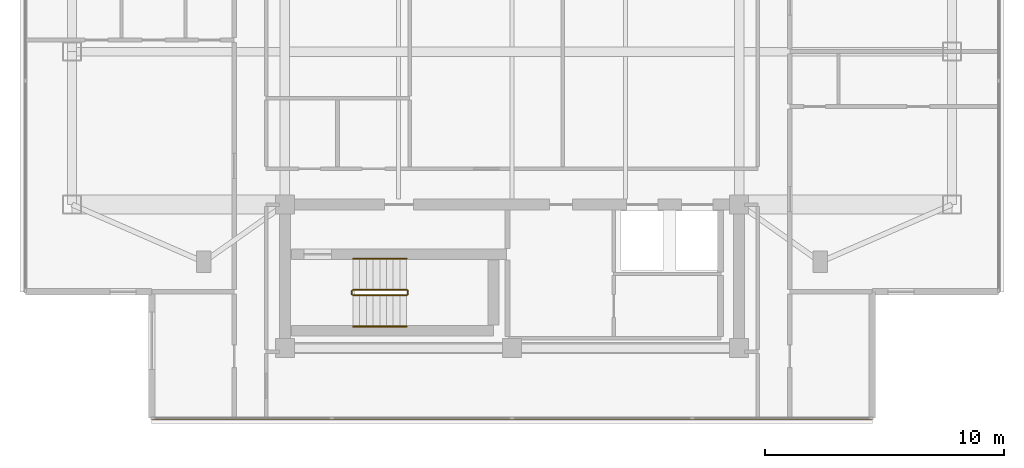
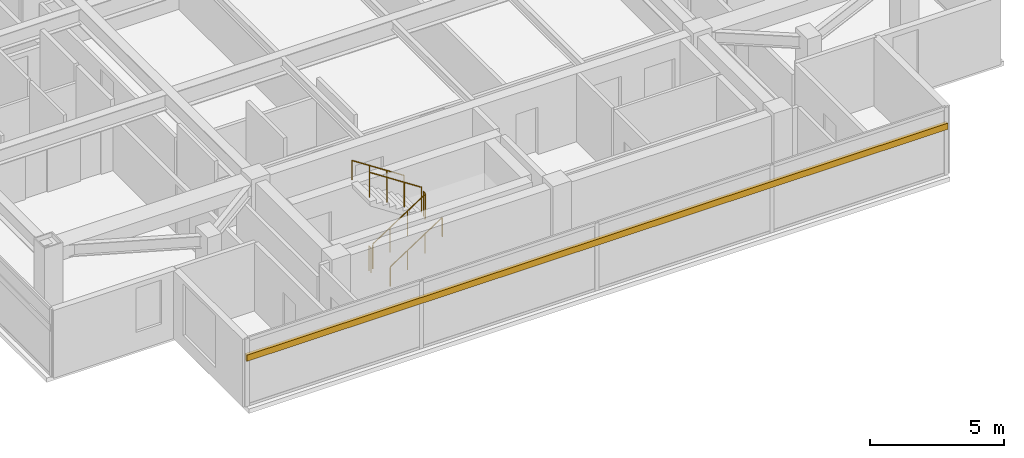
# One storey, part 10 of 12: 6 railings, 1 shading device.
"""IFC4 building model written with IfcOpenShell, lengths in metres."""

from ifc_helpers import new_model, si_unit, direction, frame, origin, origin_2d, place, context, subcontext, project, spatial, rectangle, circle, extrude, material, material_profile, profile_set, type_object, element, save


model = new_model("IFC4")

# Units and contexts
model_context = context("Model", 3, precision=1e-05, world=origin(), true_north=direction((0.0, 1.0)))
body_context = subcontext(model_context, "Body", "Model", "MODEL_VIEW")
ifc_project = project(units=[si_unit("LENGTHUNIT", "METRE"), si_unit("AREAUNIT", "SQUARE_METRE"), si_unit("VOLUMEUNIT", "CUBIC_METRE"), si_unit("PLANEANGLEUNIT", "RADIAN"), si_unit("MASSUNIT", "GRAM", prefix="KILO")], contexts=[model_context])

# Site, building, storey
site_placement = place(None, origin())
site = spatial("IfcSite", under=ifc_project, at=site_placement, CompositionType="ELEMENT")
building_placement = place(site_placement, origin())
building = spatial("IfcBuilding", under=site, at=building_placement, Name="Mirazonda Arch Towers", CompositionType="ELEMENT")
storey_placement = place(building_placement, frame((0.0, 0.0, 222.699951171875)))
storey = spatial("IfcBuildingStorey", under=building, at=storey_placement, Name="L63", CompositionType="ELEMENT", Elevation=222.699951171875)

# Shading device
ifc_material_1 = material(Name="Kiln-Fired Architectural Terracotta", Category="masonry")
ifc_material_profile = material_profile(ifc_material_1, rectangle(XDim=0.139892578125, YDim=0.280029296875, at=origin_2d()), Name="TERRA-BAG-140x280")
ifc_profile_set = profile_set([ifc_material_profile], Name="Kiln-Fired Architectural Terracotta")
shading_device_type = type_object("IfcShadingDeviceType", Name="BAGUETTE-3", PredefinedType="USERDEFINED", material=ifc_profile_set)
shading_device_placement = place(storey_placement, frame((35.570068359375, 9.4619140625, 2.217529296875), z_axis=(-1.0, 0.0, 0.0), x_axis=(0.0, -1.0, 0.0)))
element("IfcShadingDevice", 1, at=shading_device_placement, inside=storey, type_object=shading_device_type, Name="L63 Glazed Terracotta Sun-Screen Baguette CW-L63-T1-S", ObjectType="BAGUETTE", PredefinedType="USERDEFINED", context=body_context, shape_type="SweptSolid", body=[
    extrude(rectangle(XDim=0.139892578125, YDim=0.280029296875, at=origin_2d()), origin(), (0.0, 0.0, 1.0), 30.14013671875),
])

# Railings
ifc_material_2 = material(Name="Architectural Brushed Steel S355", Category="steel")
railing_type_1 = type_object("IfcRailingType", Name="GUARD-STAIR-1120", PredefinedType="GUARDRAIL", material=ifc_material_2)
railing_1_placement = place(storey_placement, frame((13.85009765625, 14.60009765625, 0.183349609375)))
element("IfcRailing", 2, at=railing_1_placement, inside=storey, type_object=railing_type_1, Name="L63 ST-T1S stair guard 1", PredefinedType="GUARDRAIL", context=body_context, shape_type="SweptSolid", body=[
    extrude(circle(Radius=0.02392578125, at=origin_2d()), frame((0.0, 0.0, 1.1259765625), z_axis=(0.836595146698, 0.0, 0.547821650285), x_axis=(0.0, 1.0, 0.0)), (0.0, 0.0, 1.0), 2.677490234375),
    extrude(circle(Radius=0.02099609375, at=origin_2d()), origin(), (0.0, 0.0, 1.0), 1.101806640625),
    extrude(circle(Radius=0.02099609375, at=origin_2d()), frame((0.74658203125, 0.0, 0.489013671875)), (0.0, 0.0, 1.0), 1.101806640625),
    extrude(circle(Radius=0.02099609375, at=origin_2d()), frame((1.493408203125, 0.0, 0.977783203125)), (0.0, 0.0, 1.0), 1.101806640625),
    extrude(circle(Radius=0.02099609375, at=origin_2d()), frame((2.239990234375, 0.0, 1.466796875)), (0.0, 0.0, 1.0), 1.101806640625),
])
railing_2_placement = place(storey_placement, frame((16.139892578125, 14.64990234375, 1.650146484375)))
element("IfcRailing", 3, at=railing_2_placement, inside=storey, type_object=railing_type_1, Name="L63 ST-T1S stair guard 2", PredefinedType="GUARDRAIL", context=body_context, shape_type="SweptSolid", body=[
    extrude(circle(Radius=0.02392578125, at=origin_2d()), frame((0.0, 0.0, 1.1259765625), z_axis=(0.0, 1.0, 0.0), x_axis=(-1.0, 0.0, 0.0)), (0.0, 0.0, 1.0), 0.14013671875),
    extrude(circle(Radius=0.02099609375, at=origin_2d()), origin(), (0.0, 0.0, 1.0), 1.101806640625),
    extrude(circle(Radius=0.02099609375, at=origin_2d()), frame((0.0, 0.14013671875, 0.0)), (0.0, 0.0, 1.0), 1.101806640625),
])
railing_3_placement = place(storey_placement, frame((16.090087890625, 14.840087890625, 1.83349609375)))
element("IfcRailing", 4, at=railing_3_placement, inside=storey, type_object=railing_type_1, Name="L63 ST-T1S stair guard 3", PredefinedType="GUARDRAIL", context=body_context, shape_type="SweptSolid", body=[
    extrude(circle(Radius=0.02392578125, at=origin_2d()), frame((0.0, 0.0, 1.1259765625), z_axis=(-0.836636935527, 0.0, 0.547757827979), x_axis=(0.0, -1.0, 0.0)), (0.0, 0.0, 1.0), 2.677490234375),
    extrude(circle(Radius=0.02099609375, at=origin_2d()), origin(), (0.0, 0.0, 1.0), 1.101806640625),
    extrude(circle(Radius=0.02099609375, at=origin_2d()), frame((-0.74658203125, 0.0, 0.48876953125)), (0.0, 0.0, 1.0), 1.101806640625),
    extrude(circle(Radius=0.02099609375, at=origin_2d()), frame((-1.493408203125, 0.0, 0.977783203125)), (0.0, 0.0, 1.0), 1.101806640625),
    extrude(circle(Radius=0.02099609375, at=origin_2d()), frame((-2.239990234375, 0.0, 1.466552734375)), (0.0, 0.0, 1.0), 1.101806640625),
])
railing_4_placement = place(storey_placement, frame((13.800048828125, 14.64990234375, 0.0)))
element("IfcRailing", 5, at=railing_4_placement, inside=storey, type_object=railing_type_1, Name="L63 ST-T1S stair guard 4", PredefinedType="GUARDRAIL", context=body_context, shape_type="SweptSolid", body=[
    extrude(circle(Radius=0.02392578125, at=origin_2d()), frame((0.0, 0.0, 1.1259765625), z_axis=(0.0, 1.0, 0.0), x_axis=(-1.0, 0.0, 0.0)), (0.0, 0.0, 1.0), 0.14013671875),
    extrude(circle(Radius=0.02099609375, at=origin_2d()), origin(), (0.0, 0.0, 1.0), 1.101806640625),
    extrude(circle(Radius=0.02099609375, at=origin_2d()), frame((0.0, 0.14013671875, 0.0)), (0.0, 0.0, 1.0), 1.101806640625),
])
railing_type_2 = type_object("IfcRailingType", Name="HANDRAIL-915", PredefinedType="HANDRAIL", material=ifc_material_2)
railing_5_placement = place(storey_placement, frame((13.85009765625, 13.300048828125, 0.183349609375)))
element("IfcRailing", 6, at=railing_5_placement, inside=storey, type_object=railing_type_2, Name="L63 ST-T1S stair handrail 1", PredefinedType="HANDRAIL", context=body_context, shape_type="SweptSolid", body=[
    extrude(circle(Radius=0.02392578125, at=origin_2d()), frame((0.0, 0.0, 0.8759765625), z_axis=(0.836595146698, 0.0, 0.547821650285), x_axis=(0.0, 1.0, 0.0)), (0.0, 0.0, 1.0), 2.677490234375),
    extrude(circle(Radius=0.02099609375, at=origin_2d()), origin(), (0.0, 0.0, 1.0), 0.851806640625),
    extrude(circle(Radius=0.02099609375, at=origin_2d()), frame((0.74658203125, 0.0, 0.489013671875)), (0.0, 0.0, 1.0), 0.851806640625),
    extrude(circle(Radius=0.02099609375, at=origin_2d()), frame((1.493408203125, 0.0, 0.977783203125)), (0.0, 0.0, 1.0), 0.851806640625),
    extrude(circle(Radius=0.02099609375, at=origin_2d()), frame((2.239990234375, 0.0, 1.466796875)), (0.0, 0.0, 1.0), 0.851806640625),
])
railing_6_placement = place(storey_placement, frame((16.090087890625, 16.139892578125, 1.83349609375)))
element("IfcRailing", 7, at=railing_6_placement, inside=storey, type_object=railing_type_2, Name="L63 ST-T1S stair handrail 2", PredefinedType="HANDRAIL", context=body_context, shape_type="SweptSolid", body=[
    extrude(circle(Radius=0.02392578125, at=origin_2d()), frame((0.0, 0.0, 0.8759765625), z_axis=(-0.836636935527, 0.0, 0.547757827979), x_axis=(0.0, -1.0, 0.0)), (0.0, 0.0, 1.0), 2.677490234375),
    extrude(circle(Radius=0.02099609375, at=origin_2d()), origin(), (0.0, 0.0, 1.0), 0.851806640625),
    extrude(circle(Radius=0.02099609375, at=origin_2d()), frame((-0.74658203125, 0.0, 0.48876953125)), (0.0, 0.0, 1.0), 0.851806640625),
    extrude(circle(Radius=0.02099609375, at=origin_2d()), frame((-1.493408203125, 0.0, 0.977783203125)), (0.0, 0.0, 1.0), 0.851806640625),
    extrude(circle(Radius=0.02099609375, at=origin_2d()), frame((-2.239990234375, 0.0, 1.466552734375)), (0.0, 0.0, 1.0), 0.851806640625),
])

save(model, "model.ifc")
